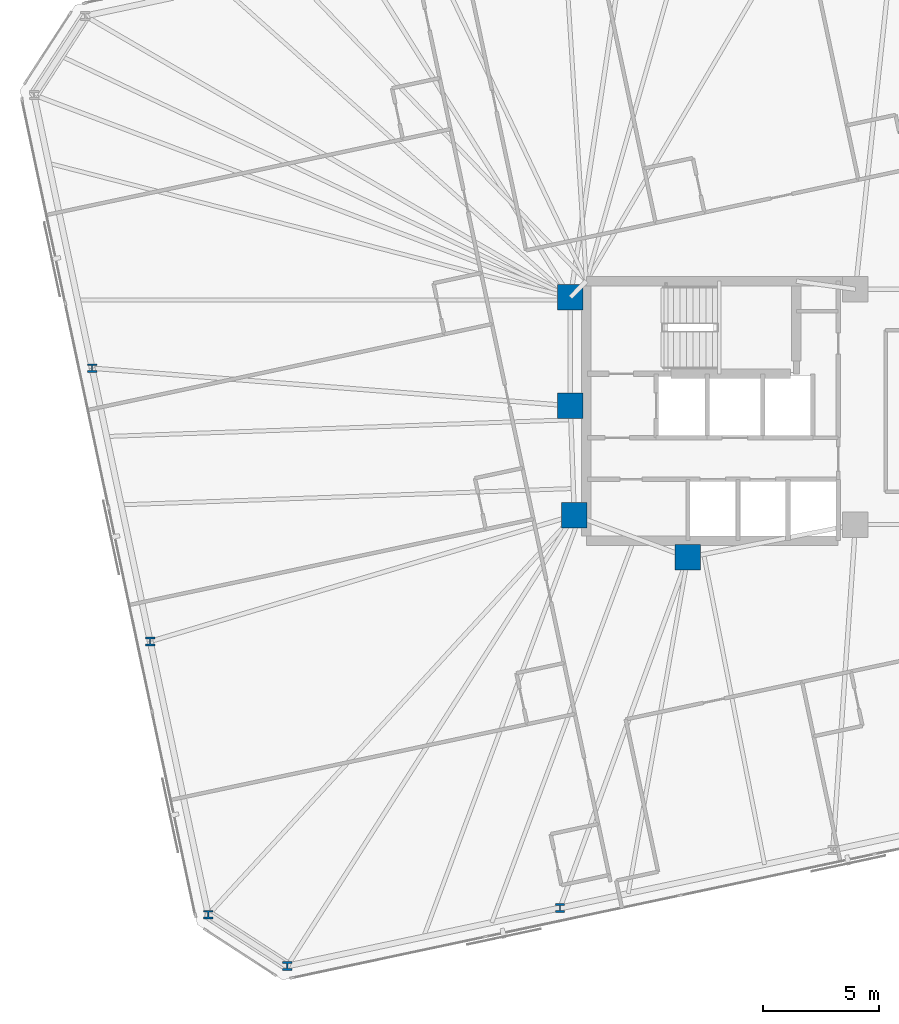
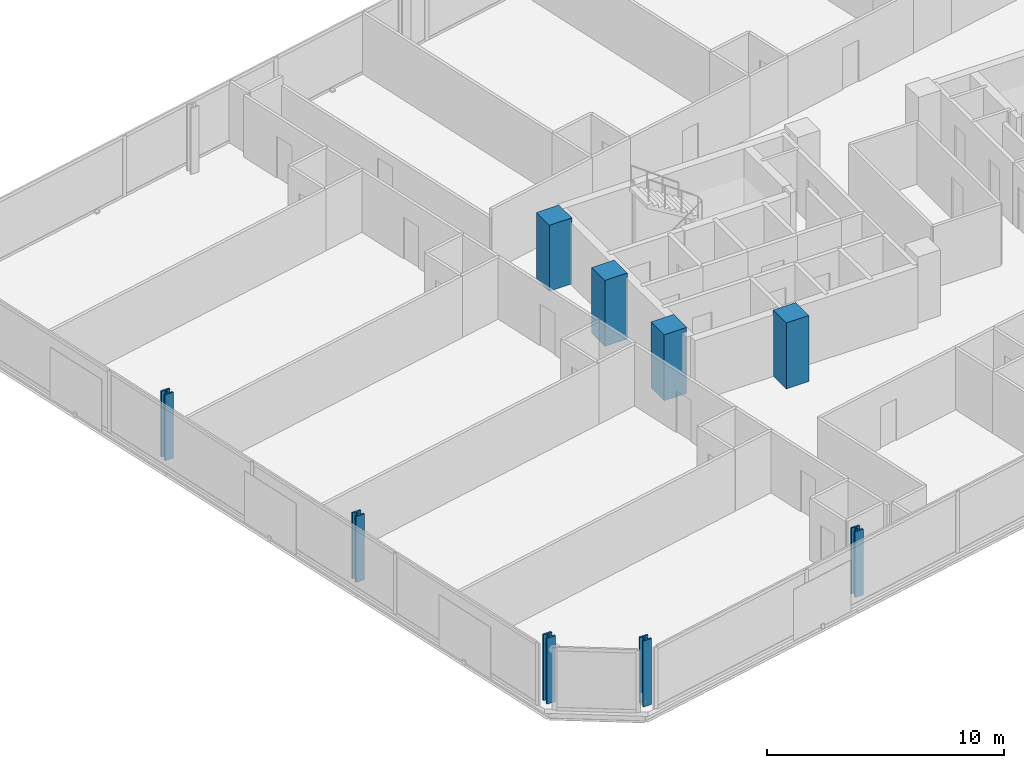
# One storey, part 1 of 19: 9 columns.
"""IFC4 building model written with IfcOpenShell, lengths in metres."""

from ifc_helpers import new_model, si_unit, direction, frame, origin, origin_2d, place, context, subcontext, project, spatial, rectangle, i_section, extrude, material, material_profile, profile_set, type_object, element, save


model = new_model("IFC4")

# Units and contexts
model_context = context("Model", 3, precision=1e-05, world=origin(), true_north=direction((0.0, 1.0)))
body_context = subcontext(model_context, "Body", "Model", "MODEL_VIEW")
ifc_project = project(units=[si_unit("LENGTHUNIT", "METRE"), si_unit("AREAUNIT", "SQUARE_METRE"), si_unit("VOLUMEUNIT", "CUBIC_METRE"), si_unit("PLANEANGLEUNIT", "RADIAN"), si_unit("MASSUNIT", "GRAM", prefix="KILO")], contexts=[model_context])

# Site, building, storey
site_placement = place(None, origin())
site = spatial("IfcSite", under=ifc_project, at=site_placement, CompositionType="ELEMENT")
building_placement = place(site_placement, origin())
building = spatial("IfcBuilding", under=site, at=building_placement, Name="Menara Jurai Vektor", CompositionType="ELEMENT")
storey_placement = place(building_placement, frame((0.0, 0.0, 182.0)))
storey = spatial("IfcBuildingStorey", under=building, at=storey_placement, Name="L47", CompositionType="ELEMENT", Elevation=182.0)

# Columns
ifc_material_1 = material(Name="Concrete C50/60", Category="concrete")
ifc_material_profile_1 = material_profile(ifc_material_1, rectangle(XDim=1.10009765625, YDim=1.10009765625, at=origin_2d()), Name="RC 1100x1100")
ifc_profile_set_1 = profile_set([ifc_material_profile_1], Name="Concrete C50/60")
column_type_1 = type_object("IfcColumnType", Name="STR-COL-RC1100", PredefinedType="COLUMN", material=ifc_profile_set_1)
for number, where, z_axis, x_axis, name in (
    (1, (-15.25, 4.89990234375, 0.0), (0.0, 0.0, 1.0), (1.0, 0.0, 0.0), "Core Spine Column CW-NW L47"),
    (2, (-15.25, 0.219970703125, 0.0), (0.0, 0.0, 1.0), (1.0, 0.0, 0.0), "Core Spine Column CW-WM L47"),
    (3, (-15.080078125, -4.5, 0.0), (0.0, 0.0, 1.0), (1.0, 0.0, 0.0), "Core Spine Column CW-SW L47"),
    (4, (-10.179931640625, -6.320068359375, 0.0), (0.0, 0.0, 1.0), (1.0, 0.0, 0.0), "Core Spine Column CW-SM L47"),
):
    element("IfcColumn", number, at=place(storey_placement, frame(where, z_axis=z_axis, x_axis=x_axis)), inside=storey, type_object=column_type_1, Name=name, PredefinedType="COLUMN", context=body_context, shape_type="SweptSolid", body=[
        extrude(rectangle(XDim=1.10009765625, YDim=1.10009765625, at=origin_2d()), origin(), (0.0, 0.0, 1.0), 3.39990234375),
    ])
ifc_material_2 = material(Name="Steel S460", Category="steel")
ifc_material_profile_2 = material_profile(ifc_material_2, i_section(OverallWidth=0.408935546875, OverallDepth=0.3740234375, WebThickness=0.048095703125, FlangeThickness=0.076904296875, FilletRadius=0.014892578125, at=origin_2d()), Name="HD 400x634")
ifc_profile_set_2 = profile_set([ifc_material_profile_2], Name="Steel S460")
column_type_2 = type_object("IfcColumnType", Name="STR-EXO-BLK3", PredefinedType="COLUMN", material=ifc_profile_set_2)
for number, where, z_axis, x_axis, name in (
    (5, (-27.46484375, -23.94580078125, 0.0), (0.0, 0.0, 1.0), (1.0, 0.0, 0.0), "Exoskeleton Column BLK3-S1 L47"),
    (6, (-15.696533203125, -21.4443359375, 0.0), (0.0, 0.0, 1.0), (1.0, 0.0, 0.0), "Exoskeleton Column BLK3-S2 L47"),
    (7, (-35.8828125, 1.843505859375, 0.0), (0.0, 0.0, 1.0), (1.0, 0.0, 0.0), "Exoskeleton Column BLK3-W2 L47"),
    (8, (-33.377197265625, -9.945068359375, 0.0), (0.0, 0.0, 1.0), (1.0, 0.0, 0.0), "Exoskeleton Column BLK3-W3 L47"),
    (9, (-30.871337890625, -21.7333984375, 0.0), (0.0, 0.0, 1.0), (1.0, 0.0, 0.0), "Exoskeleton Column BLK3-W4 L47"),
):
    element("IfcColumn", number, at=place(storey_placement, frame(where, z_axis=z_axis, x_axis=x_axis)), inside=storey, type_object=column_type_2, Name=name, PredefinedType="COLUMN", context=body_context, shape_type="SweptSolid", body=[
        extrude(i_section(OverallWidth=0.408935546875, OverallDepth=0.3740234375, WebThickness=0.048095703125, FlangeThickness=0.076904296875, FilletRadius=0.014892578125, at=origin_2d()), origin(), (0.0, 0.0, 1.0), 3.39990234375),
    ])

save(model, "model.ifc")
